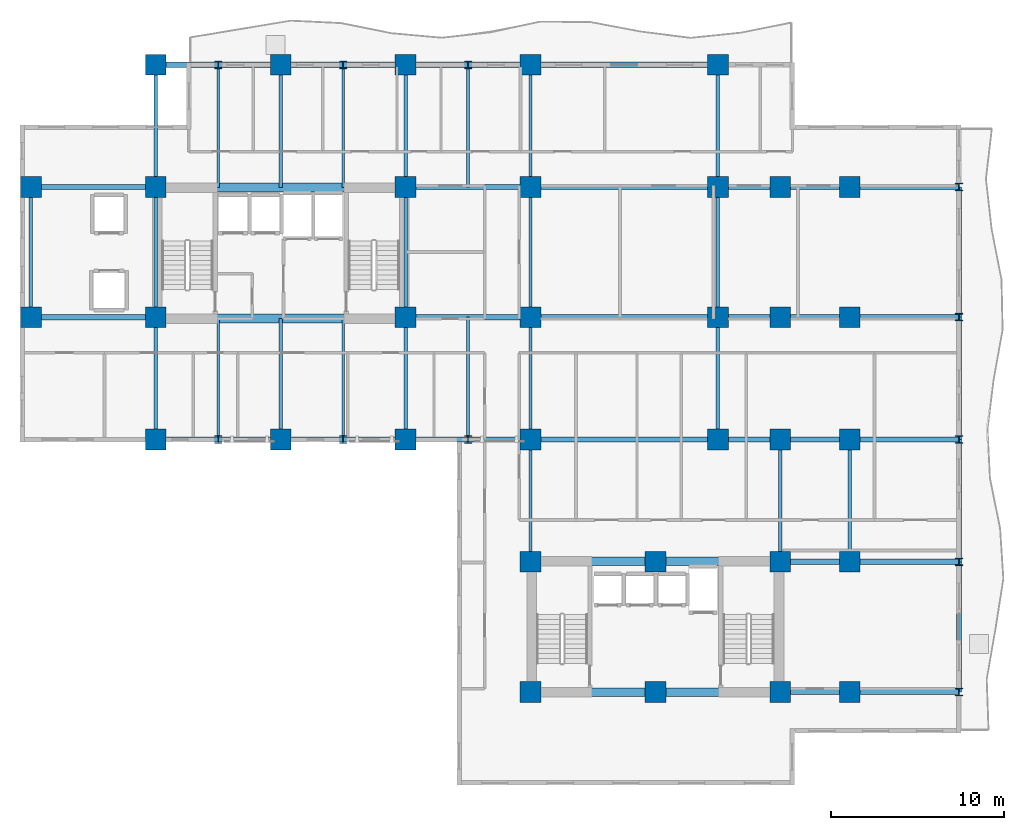
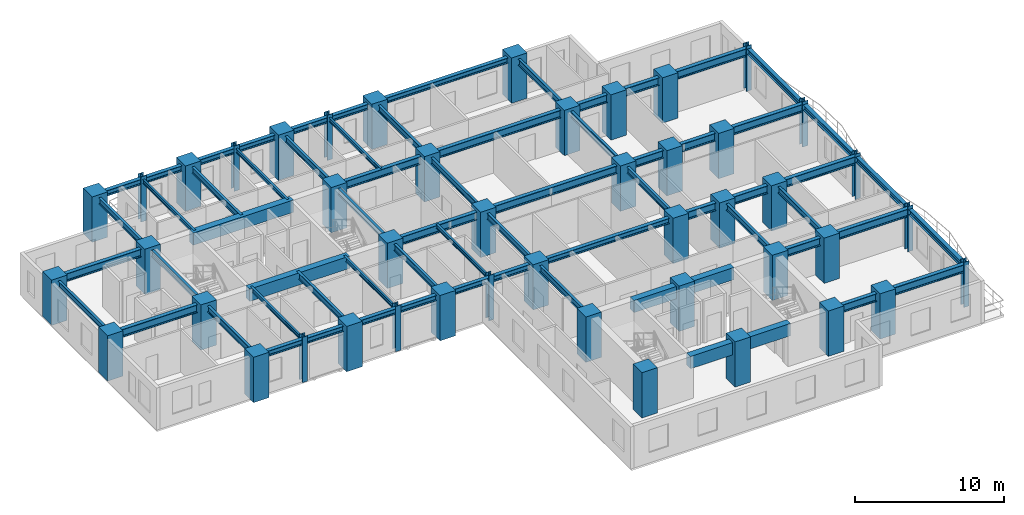
# One storey, part 1 of 11: 65 beams, 45 columns.
"""IFC4 building model written with IfcOpenShell, lengths in metres."""

from ifc_helpers import new_model, si_unit, direction, frame, origin, origin_2d, place, context, subcontext, project, spatial, rectangle, i_section, extrude, source, transform, mapped, material, material_profile, profile_set, type_object, element, save


model = new_model("IFC4")

# Units and contexts
model_context = context("Model", 3, precision=1e-05, world=origin(), true_north=direction((0.0, 1.0)))
body_context = subcontext(model_context, "Body", "Model", "MODEL_VIEW")
ifc_project = project(units=[si_unit("LENGTHUNIT", "METRE"), si_unit("AREAUNIT", "SQUARE_METRE"), si_unit("VOLUMEUNIT", "CUBIC_METRE"), si_unit("PLANEANGLEUNIT", "RADIAN"), si_unit("MASSUNIT", "GRAM", prefix="KILO")], contexts=[model_context])

# Site, building, storey
site_placement = place(None, origin())
site = spatial("IfcSite", under=ifc_project, at=site_placement, CompositionType="ELEMENT")
building_placement = place(site_placement, origin())
building = spatial("IfcBuilding", under=site, at=building_placement, Name="Kaliganga Portal Commons", CompositionType="ELEMENT")
storey_placement = place(building_placement, frame((0.0, 0.0, 119.300048828125)))
storey = spatial("IfcBuildingStorey", under=building, at=storey_placement, Name="L30", CompositionType="ELEMENT", Elevation=119.300048828125)

# Columns
ifc_material_1 = material(Name="Concrete C60/75", Category="concrete")
ifc_material_profile_1 = material_profile(ifc_material_1, rectangle(XDim=1.199951171875, YDim=1.199951171875, at=origin_2d()), Name="RC 1200x1200")
ifc_profile_set_1 = profile_set([ifc_material_profile_1], Name="Concrete C60/75")
column_type_1 = type_object("IfcColumnType", Name="COL-MEGA-Z2", PredefinedType="COLUMN", material=ifc_profile_set_1)
shared_shape_1 = source(origin(), body_context, "Body", "SweptSolid", [
    extrude(rectangle(XDim=1.199951171875, YDim=1.199951171875, at=origin_2d()), origin(), (0.0, 0.0, 1.0), 3.699951171875),
])
for number, where, z_axis, x_axis, name in (
    (1, (7.199951171875, 28.64990234375, 0.0), (0.0, 0.0, 1.0), (1.0, 0.0, 0.0), "Column MC-03 L30"),
    (2, (7.199951171875, 36.14990234375, 0.0), (0.0, 0.0, 1.0), (1.0, 0.0, 0.0), "Column MC-03 L30"),
    (3, (14.39990234375, 21.60009765625, 0.0), (0.0, 0.0, 1.0), (1.0, 0.0, 0.0), "Column MC-03 L30"),
    (4, (14.39990234375, 28.64990234375, 0.0), (0.0, 0.0, 1.0), (1.0, 0.0, 0.0), "Column MC-03 L30"),
    (5, (14.39990234375, 36.14990234375, 0.0), (0.0, 0.0, 1.0), (1.0, 0.0, 0.0), "Column MC-03 L30"),
    (6, (14.39990234375, 43.199951171875, 0.0), (0.0, 0.0, 1.0), (1.0, 0.0, 0.0), "Column MC-03 L30"),
    (7, (21.60009765625, 21.60009765625, 0.0), (0.0, 0.0, 1.0), (1.0, 0.0, 0.0), "Column MC-03 L30"),
    (8, (21.60009765625, 43.199951171875, 0.0), (0.0, 0.0, 1.0), (1.0, 0.0, 0.0), "Column MC-03 L30"),
    (9, (28.800048828125, 21.60009765625, 0.0), (0.0, 0.0, 1.0), (1.0, 0.0, 0.0), "Column MC-03 L30"),
    (10, (28.800048828125, 28.64990234375, 0.0), (0.0, 0.0, 1.0), (1.0, 0.0, 0.0), "Column MC-03 L30"),
    (11, (28.800048828125, 36.14990234375, 0.0), (0.0, 0.0, 1.0), (1.0, 0.0, 0.0), "Column MC-03 L30"),
    (12, (28.800048828125, 43.199951171875, 0.0), (0.0, 0.0, 1.0), (1.0, 0.0, 0.0), "Column MC-03 L30"),
    (13, (36.0, 21.60009765625, 0.0), (0.0, 0.0, 1.0), (1.0, 0.0, 0.0), "Column MC-03 L30"),
    (14, (36.0, 43.199951171875, 0.0), (0.0, 0.0, 1.0), (1.0, 0.0, 0.0), "Column MC-03 L30"),
    (15, (36.0, 28.64990234375, 0.0), (0.0, 0.0, 1.0), (1.0, 0.0, 0.0), "Column MC-03 L30"),
    (16, (36.0, 36.14990234375, 0.0), (0.0, 0.0, 1.0), (1.0, 0.0, 0.0), "Column MC-03 L30"),
    (17, (46.800048828125, 21.60009765625, 0.0), (0.0, 0.0, 1.0), (1.0, 0.0, 0.0), "Column MC-03 L30"),
    (18, (46.800048828125, 28.64990234375, 0.0), (0.0, 0.0, 1.0), (1.0, 0.0, 0.0), "Column MC-03 L30"),
    (19, (46.800048828125, 36.14990234375, 0.0), (0.0, 0.0, 1.0), (1.0, 0.0, 0.0), "Column MC-03 L30"),
    (20, (46.800048828125, 43.199951171875, 0.0), (0.0, 0.0, 1.0), (1.0, 0.0, 0.0), "Column MC-03 L30"),
    (21, (36.0, 7.050048828125, 0.0), (0.0, 0.0, 1.0), (1.0, 0.0, 0.0), "Column MC-03 L30"),
    (22, (36.0, 14.550048828125, 0.0), (0.0, 0.0, 1.0), (1.0, 0.0, 0.0), "Column MC-03 L30"),
    (23, (43.199951171875, 7.050048828125, 0.0), (0.0, 0.0, 1.0), (1.0, 0.0, 0.0), "Column MC-03 L30"),
    (24, (43.199951171875, 14.550048828125, 0.0), (0.0, 0.0, 1.0), (1.0, 0.0, 0.0), "Column MC-03 L30"),
    (25, (50.39990234375, 7.050048828125, 0.0), (0.0, 0.0, 1.0), (1.0, 0.0, 0.0), "Column MC-03 L30"),
    (26, (50.39990234375, 14.550048828125, 0.0), (0.0, 0.0, 1.0), (1.0, 0.0, 0.0), "Column MC-03 L30"),
    (27, (50.39990234375, 21.60009765625, 0.0), (0.0, 0.0, 1.0), (1.0, 0.0, 0.0), "Column MC-03 L30"),
    (28, (50.39990234375, 28.64990234375, 0.0), (0.0, 0.0, 1.0), (1.0, 0.0, 0.0), "Column MC-03 L30"),
    (29, (50.39990234375, 36.14990234375, 0.0), (0.0, 0.0, 1.0), (1.0, 0.0, 0.0), "Column MC-03 L30"),
    (30, (54.39990234375, 7.050048828125, 0.0), (0.0, 0.0, 1.0), (1.0, 0.0, 0.0), "Column MC-03 L30"),
    (31, (54.39990234375, 14.550048828125, 0.0), (0.0, 0.0, 1.0), (1.0, 0.0, 0.0), "Column MC-03 L30"),
    (32, (54.39990234375, 21.60009765625, 0.0), (0.0, 0.0, 1.0), (1.0, 0.0, 0.0), "Column MC-03 L30"),
    (33, (54.39990234375, 28.64990234375, 0.0), (0.0, 0.0, 1.0), (1.0, 0.0, 0.0), "Column MC-03 L30"),
    (34, (54.39990234375, 36.14990234375, 0.0), (0.0, 0.0, 1.0), (1.0, 0.0, 0.0), "Column MC-03 L30"),
):
    element("IfcColumn", number, at=place(storey_placement, frame(where, z_axis=z_axis, x_axis=x_axis)), inside=storey, type_object=column_type_1, Name=name, PredefinedType="COLUMN", context=body_context, shape_type="MappedRepresentation", body=[
        mapped(shared_shape_1, transform((0.0, 0.0, 0.0), x_axis=(1.0, 0.0, 0.0), y_axis=(0.0, 1.0, 0.0), z_axis=(0.0, 0.0, 1.0), scale=1.0)),
    ])
ifc_material_2 = material(Name="Structural steel S460M", Category="steel")
ifc_material_profile_2 = material_profile(ifc_material_2, i_section(OverallWidth=0.408935546875, OverallDepth=0.429931640625, WebThickness=0.0244140625, FlangeThickness=0.033447265625, FilletRadius=0.014892578125, at=origin_2d()), Name="HD 400x421")
ifc_profile_set_2 = profile_set([ifc_material_profile_2], Name="Structural steel S460M wide-flange")
column_type_2 = type_object("IfcColumnType", Name="COL-TUBE-B2", PredefinedType="COLUMN", material=ifc_profile_set_2)
shared_shape_2 = source(origin(), body_context, "Body", "SweptSolid", [
    extrude(i_section(OverallWidth=0.408935546875, OverallDepth=0.429931640625, WebThickness=0.0244140625, FlangeThickness=0.033447265625, FilletRadius=0.014892578125, at=origin_2d()), origin(), (0.0, 0.0, 1.0), 3.699951171875),
])
for number, where, z_axis, x_axis, name in (
    (35, (18.0, 21.60009765625, 0.0), (0.0, 0.0, 1.0), (1.0, 0.0, 0.0), "Column TC-02 L30"),
    (36, (18.0, 43.199951171875, 0.0), (0.0, 0.0, 1.0), (1.0, 0.0, 0.0), "Column TC-02 L30"),
    (37, (25.199951171875, 21.60009765625, 0.0), (0.0, 0.0, 1.0), (1.0, 0.0, 0.0), "Column TC-02 L30"),
    (38, (25.199951171875, 43.199951171875, 0.0), (0.0, 0.0, 1.0), (1.0, 0.0, 0.0), "Column TC-02 L30"),
    (39, (32.39990234375, 21.60009765625, 0.0), (0.0, 0.0, 1.0), (1.0, 0.0, 0.0), "Column TC-02 L30"),
    (40, (32.39990234375, 43.199951171875, 0.0), (0.0, 0.0, 1.0), (1.0, 0.0, 0.0), "Column TC-02 L30"),
    (41, (60.699951171875, 7.050048828125, 0.0), (0.0, 0.0, 1.0), (1.0, 0.0, 0.0), "Column TC-02 L30"),
    (42, (60.699951171875, 14.550048828125, 0.0), (0.0, 0.0, 1.0), (1.0, 0.0, 0.0), "Column TC-02 L30"),
    (43, (60.699951171875, 21.60009765625, 0.0), (0.0, 0.0, 1.0), (1.0, 0.0, 0.0), "Column TC-02 L30"),
    (44, (60.699951171875, 28.64990234375, 0.0), (0.0, 0.0, 1.0), (1.0, 0.0, 0.0), "Column TC-02 L30"),
    (45, (60.699951171875, 36.14990234375, 0.0), (0.0, 0.0, 1.0), (1.0, 0.0, 0.0), "Column TC-02 L30"),
):
    element("IfcColumn", number, at=place(storey_placement, frame(where, z_axis=z_axis, x_axis=x_axis)), inside=storey, type_object=column_type_2, Name=name, PredefinedType="COLUMN", context=body_context, shape_type="MappedRepresentation", body=[
        mapped(shared_shape_2, transform((0.0, 0.0, 0.0), x_axis=(1.0, 0.0, 0.0), y_axis=(0.0, 1.0, 0.0), z_axis=(0.0, 0.0, 1.0), scale=1.0)),
    ])

# Beams
ifc_material_3 = material(Name="Concrete C50/60", Category="concrete")
ifc_material_profile_3 = material_profile(ifc_material_3, rectangle(XDim=0.5, YDim=1.0, at=origin_2d()), Name="RC 500x1000")
ifc_profile_set_3 = profile_set([ifc_material_profile_3], Name="Concrete C50/60")
beam_type_1 = type_object("IfcBeamType", Name="BM-CPL-1000", PredefinedType="LINTEL", material=ifc_profile_set_3)
shared_shape_3 = source(origin(), body_context, "Body", "SweptSolid", [
    extrude(rectangle(XDim=0.5, YDim=1.0, at=origin_2d()), origin(), (0.0, 0.0, 1.0), 7.739990234375),
])
for number, where, z_axis, x_axis, name in (
    (46, (17.72998046875, 28.574951171875, 2.949951171875), (1.0, 0.0, 0.0), (0.0, 1.0, 0.0), "BM CPL COREA L30 S"),
    (47, (17.72998046875, 36.125, 2.949951171875), (1.0, 0.0, 0.0), (0.0, 1.0, 0.0), "BM CPL COREA L30 N"),
    (48, (39.330078125, 7.02490234375, 2.949951171875), (1.0, 0.0, 0.0), (0.0, 1.0, 0.0), "BM CPL COREB L30 S"),
    (49, (39.330078125, 14.574951171875, 2.949951171875), (1.0, 0.0, 0.0), (0.0, 1.0, 0.0), "BM CPL COREB L30 N"),
):
    element("IfcBeam", number, at=place(storey_placement, frame(where, z_axis=z_axis, x_axis=x_axis)), inside=storey, type_object=beam_type_1, Name=name, PredefinedType="LINTEL", context=body_context, shape_type="MappedRepresentation", body=[
        mapped(shared_shape_3, transform((0.0, 0.0, 0.0), x_axis=(1.0, 0.0, 0.0), y_axis=(0.0, 1.0, 0.0), z_axis=(0.0, 0.0, 1.0), scale=1.0)),
    ])
ifc_material_4 = material(Name="Structural steel S355J2", Category="steel")
ifc_material_profile_4 = material_profile(ifc_material_4, i_section(OverallWidth=0.300048828125, OverallDepth=0.64990234375, WebThickness=0.01611328125, FlangeThickness=0.031005859375, FilletRadius=0.027099609375, at=origin_2d()), Name="HE 650 B")
ifc_profile_set_4 = profile_set([ifc_material_profile_4], Name="Structural steel S355J2 wide-flange")
beam_type_2 = type_object("IfcBeamType", Name="BM-GIRD-650", PredefinedType="USERDEFINED", material=ifc_profile_set_4)
shared_shape_4 = source(origin(), body_context, "Body", "SweptSolid", [
    extrude(i_section(OverallWidth=0.300048828125, OverallDepth=0.64990234375, WebThickness=0.01611328125, FlangeThickness=0.031005859375, FilletRadius=0.027099609375, at=origin_2d()), origin(), (0.0, 0.0, 1.0), 3.599853515625),
])
for number, where, z_axis, x_axis, name in (
    (50, (46.800048828125, 21.60009765625, 3.125), (1.0, 0.0, 0.0), (0.0, 1.0, 0.0), "BM G L30 BKE216 1"),
    (51, (46.800048828125, 28.64990234375, 3.125), (1.0, 0.0, 0.0), (0.0, 1.0, 0.0), "BM G L30 BKE286 1"),
    (52, (46.800048828125, 36.14990234375, 3.125), (1.0, 0.0, 0.0), (0.0, 1.0, 0.0), "BM G L30 BKE362 1"),
):
    element("IfcBeam", number, at=place(storey_placement, frame(where, z_axis=z_axis, x_axis=x_axis)), inside=storey, type_object=beam_type_2, Name=name, ObjectType="GIRDER", PredefinedType="USERDEFINED", context=body_context, shape_type="MappedRepresentation", body=[
        mapped(shared_shape_4, transform((0.0, 0.0, 0.0), x_axis=(1.0, 0.0, 0.0), y_axis=(0.0, 1.0, 0.0), z_axis=(0.0, 0.0, 1.0), scale=1.0)),
    ])
shared_shape_5 = source(origin(), body_context, "Body", "SweptSolid", [
    extrude(i_section(OverallWidth=0.300048828125, OverallDepth=0.64990234375, WebThickness=0.01611328125, FlangeThickness=0.031005859375, FilletRadius=0.027099609375, at=origin_2d()), origin(), (0.0, 0.0, 1.0), 7.199951171875),
])
for number, where, z_axis, x_axis, name in (
    (53, (7.199951171875, 28.64990234375, 3.125), (1.0, 0.0, 0.0), (0.0, 1.0, 0.0), "BM G L30 WAH_S 1"),
    (54, (7.199951171875, 36.14990234375, 3.125), (1.0, 0.0, 0.0), (0.0, 1.0, 0.0), "BM G L30 WAH_N 1"),
    (55, (28.800048828125, 28.64990234375, 3.125), (1.0, 0.0, 0.0), (0.0, 1.0, 0.0), "BM G L30 WAE_S 1"),
    (56, (28.800048828125, 36.14990234375, 3.125), (1.0, 0.0, 0.0), (0.0, 1.0, 0.0), "BM G L30 WAE_N 1"),
):
    element("IfcBeam", number, at=place(storey_placement, frame(where, z_axis=z_axis, x_axis=x_axis)), inside=storey, type_object=beam_type_2, Name=name, ObjectType="GIRDER", PredefinedType="USERDEFINED", context=body_context, shape_type="MappedRepresentation", body=[
        mapped(shared_shape_5, transform((0.0, 0.0, 0.0), x_axis=(1.0, 0.0, 0.0), y_axis=(0.0, 1.0, 0.0), z_axis=(0.0, 0.0, 1.0), scale=1.0)),
    ])
shared_shape_6 = source(origin(), body_context, "Body", "SweptSolid", [
    extrude(i_section(OverallWidth=0.300048828125, OverallDepth=0.64990234375, WebThickness=0.01611328125, FlangeThickness=0.031005859375, FilletRadius=0.027099609375, at=origin_2d()), origin(), (0.0, 0.0, 1.0), 10.800048828125),
])
for number, where, z_axis, x_axis, name in (
    (57, (36.0, 28.64990234375, 3.125), (1.0, 0.0, 0.0), (0.0, 1.0, 0.0), "BM G L30 WAE_S 2"),
    (58, (36.0, 36.14990234375, 3.125), (1.0, 0.0, 0.0), (0.0, 1.0, 0.0), "BM G L30 WAE_N 2"),
):
    element("IfcBeam", number, at=place(storey_placement, frame(where, z_axis=z_axis, x_axis=x_axis)), inside=storey, type_object=beam_type_2, Name=name, ObjectType="GIRDER", PredefinedType="USERDEFINED", context=body_context, shape_type="MappedRepresentation", body=[
        mapped(shared_shape_6, transform((0.0, 0.0, 0.0), x_axis=(1.0, 0.0, 0.0), y_axis=(0.0, 1.0, 0.0), z_axis=(0.0, 0.0, 1.0), scale=1.0)),
    ])
shared_shape_7 = source(origin(), body_context, "Body", "SweptSolid", [
    extrude(i_section(OverallWidth=0.300048828125, OverallDepth=0.64990234375, WebThickness=0.01611328125, FlangeThickness=0.031005859375, FilletRadius=0.027099609375, at=origin_2d()), origin(), (0.0, 0.0, 1.0), 4.0),
])
for number, where, z_axis, x_axis, name in (
    (59, (50.39990234375, 7.050048828125, 3.125), (1.0, 0.0, 0.0), (0.0, 1.0, 0.0), "BM G L30 BKE70 1"),
    (60, (50.39990234375, 14.550048828125, 3.125), (1.0, 0.0, 0.0), (0.0, 1.0, 0.0), "BM G L30 BKE146 1"),
    (61, (50.39990234375, 21.60009765625, 3.125), (1.0, 0.0, 0.0), (0.0, 1.0, 0.0), "BM G L30 BKE216 2"),
    (62, (50.39990234375, 28.64990234375, 3.125), (1.0, 0.0, 0.0), (0.0, 1.0, 0.0), "BM G L30 BKE286 2"),
    (63, (50.39990234375, 36.14990234375, 3.125), (1.0, 0.0, 0.0), (0.0, 1.0, 0.0), "BM G L30 BKE362 2"),
):
    element("IfcBeam", number, at=place(storey_placement, frame(where, z_axis=z_axis, x_axis=x_axis)), inside=storey, type_object=beam_type_2, Name=name, ObjectType="GIRDER", PredefinedType="USERDEFINED", context=body_context, shape_type="MappedRepresentation", body=[
        mapped(shared_shape_7, transform((0.0, 0.0, 0.0), x_axis=(1.0, 0.0, 0.0), y_axis=(0.0, 1.0, 0.0), z_axis=(0.0, 0.0, 1.0), scale=1.0)),
    ])
ifc_material_profile_5 = material_profile(ifc_material_4, i_section(OverallWidth=0.199951171875, OverallDepth=0.5, WebThickness=0.01025390625, FlangeThickness=0.01611328125, FilletRadius=0.02099609375, at=origin_2d()), Name="IPE 500")
ifc_profile_set_5 = profile_set([ifc_material_profile_5], Name="Structural steel S355J2 wide-flange")
beam_type_3 = type_object("IfcBeamType", Name="BM-FLR-500", PredefinedType="BEAM", material=ifc_profile_set_5)
shared_shape_8 = source(origin(), body_context, "Body", "SweptSolid", [
    extrude(i_section(OverallWidth=0.199951171875, OverallDepth=0.5, WebThickness=0.01025390625, FlangeThickness=0.01611328125, FilletRadius=0.02099609375, at=origin_2d()), origin(), (0.0, 0.0, 1.0), 7.5),
])
for number, where, z_axis, x_axis, name in (
    (64, (7.199951171875, 28.64990234375, 3.199951171875), (0.0, 1.0, 0.0), (-1.0, 0.0, 0.0), "BM G L30 AW72"),
    (65, (14.39990234375, 28.64990234375, 3.199951171875), (0.0, 1.0, 0.0), (-1.0, 0.0, 0.0), "BM G L30 AM144"),
    (66, (28.800048828125, 28.64990234375, 3.199951171875), (0.0, 1.0, 0.0), (-1.0, 0.0, 0.0), "BM G L30 AM288"),
    (67, (36.0, 28.64990234375, 3.199951171875), (0.0, 1.0, 0.0), (-1.0, 0.0, 0.0), "BM G L30 AM360"),
    (68, (46.800048828125, 28.64990234375, 3.199951171875), (0.0, 1.0, 0.0), (-1.0, 0.0, 0.0), "BM G L30 AM468"),
):
    element("IfcBeam", number, at=place(storey_placement, frame(where, z_axis=z_axis, x_axis=x_axis)), inside=storey, type_object=beam_type_3, Name=name, PredefinedType="BEAM", context=body_context, shape_type="MappedRepresentation", body=[
        mapped(shared_shape_8, transform((0.0, 0.0, 0.0), x_axis=(1.0, 0.0, 0.0), y_axis=(0.0, 1.0, 0.0), z_axis=(0.0, 0.0, 1.0), scale=1.0)),
    ])
shared_shape_9 = source(origin(), body_context, "Body", "SweptSolid", [
    extrude(i_section(OverallWidth=0.199951171875, OverallDepth=0.5, WebThickness=0.01025390625, FlangeThickness=0.01611328125, FilletRadius=0.02099609375, at=origin_2d()), origin(), (0.0, 0.0, 1.0), 7.050048828125),
])
for number, where, z_axis, x_axis, name in (
    (69, (14.39990234375, 36.14990234375, 3.199951171875), (0.0, 1.0, 0.0), (-1.0, 0.0, 0.0), "BM G L30 AN144"),
    (70, (28.800048828125, 36.14990234375, 3.199951171875), (0.0, 1.0, 0.0), (-1.0, 0.0, 0.0), "BM G L30 AN288"),
    (71, (36.0, 36.14990234375, 3.199951171875), (0.0, 1.0, 0.0), (-1.0, 0.0, 0.0), "BM G L30 AN360"),
    (72, (46.800048828125, 36.14990234375, 3.199951171875), (0.0, 1.0, 0.0), (-1.0, 0.0, 0.0), "BM G L30 AN468"),
    (73, (36.0, 14.550048828125, 3.199951171875), (0.0, 1.0, 0.0), (-1.0, 0.0, 0.0), "BM G L30 BNK360"),
    (74, (50.39990234375, 14.550048828125, 3.199951171875), (0.0, 1.0, 0.0), (-1.0, 0.0, 0.0), "BM G L30 BNK504"),
    (75, (54.39990234375, 14.550048828125, 3.199951171875), (0.0, 1.0, 0.0), (-1.0, 0.0, 0.0), "BM G L30 BNK544"),
):
    element("IfcBeam", number, at=place(storey_placement, frame(where, z_axis=z_axis, x_axis=x_axis)), inside=storey, type_object=beam_type_3, Name=name, PredefinedType="BEAM", context=body_context, shape_type="MappedRepresentation", body=[
        mapped(shared_shape_9, transform((0.0, 0.0, 0.0), x_axis=(1.0, 0.0, 0.0), y_axis=(0.0, 1.0, 0.0), z_axis=(0.0, 0.0, 1.0), scale=1.0)),
    ])
shared_shape_10 = source(origin(), body_context, "Body", "SweptSolid", [
    extrude(i_section(OverallWidth=0.199951171875, OverallDepth=0.5, WebThickness=0.01025390625, FlangeThickness=0.01611328125, FilletRadius=0.02099609375, at=origin_2d()), origin(), (0.0, 0.0, 1.0), 7.0498046875),
])
for number, where, z_axis, x_axis, name in (
    (76, (14.39990234375, 21.60009765625, 3.199951171875), (0.0, 1.0, 0.0), (-1.0, 0.0, 0.0), "BM G L30 AS144"),
    (77, (28.800048828125, 21.60009765625, 3.199951171875), (0.0, 1.0, 0.0), (-1.0, 0.0, 0.0), "BM G L30 AS288"),
    (78, (36.0, 21.60009765625, 3.199951171875), (0.0, 1.0, 0.0), (-1.0, 0.0, 0.0), "BM G L30 AS360"),
    (79, (46.800048828125, 21.60009765625, 3.199951171875), (0.0, 1.0, 0.0), (-1.0, 0.0, 0.0), "BM G L30 AS468"),
):
    element("IfcBeam", number, at=place(storey_placement, frame(where, z_axis=z_axis, x_axis=x_axis)), inside=storey, type_object=beam_type_3, Name=name, PredefinedType="BEAM", context=body_context, shape_type="MappedRepresentation", body=[
        mapped(shared_shape_10, transform((0.0, 0.0, 0.0), x_axis=(1.0, 0.0, 0.0), y_axis=(0.0, 1.0, 0.0), z_axis=(0.0, 0.0, 1.0), scale=1.0)),
    ])
shared_shape_11 = source(origin(), body_context, "Body", "SweptSolid", [
    extrude(i_section(OverallWidth=0.199951171875, OverallDepth=0.5, WebThickness=0.01025390625, FlangeThickness=0.01611328125, FilletRadius=0.02099609375, at=origin_2d()), origin(), (0.0, 0.0, 1.0), 7.074951171875),
])
beam_1_placement = place(storey_placement, frame((21.60009765625, 36.125, 3.199951171875), z_axis=(0.0, 1.0, 0.0), x_axis=(-1.0, 0.0, 0.0)))
element("IfcBeam", 80, at=beam_1_placement, inside=storey, type_object=beam_type_3, Name="BM G L30 AN216", PredefinedType="BEAM", context=body_context, shape_type="MappedRepresentation", body=[
    mapped(shared_shape_11, transform((0.0, 0.0, 0.0), x_axis=(1.0, 0.0, 0.0), y_axis=(0.0, 1.0, 0.0), z_axis=(0.0, 0.0, 1.0), scale=1.0)),
])
shared_shape_12 = source(origin(), body_context, "Body", "SweptSolid", [
    extrude(i_section(OverallWidth=0.199951171875, OverallDepth=0.5, WebThickness=0.01025390625, FlangeThickness=0.01611328125, FilletRadius=0.02099609375, at=origin_2d()), origin(), (0.0, 0.0, 1.0), 6.974853515625),
])
beam_2_placement = place(storey_placement, frame((21.60009765625, 21.60009765625, 3.199951171875), z_axis=(0.0, 1.0, 0.0), x_axis=(-1.0, 0.0, 0.0)))
element("IfcBeam", 81, at=beam_2_placement, inside=storey, type_object=beam_type_3, Name="BM G L30 AS216", PredefinedType="BEAM", context=body_context, shape_type="MappedRepresentation", body=[
    mapped(shared_shape_12, transform((0.0, 0.0, 0.0), x_axis=(1.0, 0.0, 0.0), y_axis=(0.0, 1.0, 0.0), z_axis=(0.0, 0.0, 1.0), scale=1.0)),
])
shared_shape_13 = source(origin(), body_context, "Body", "SweptSolid", [
    extrude(i_section(OverallWidth=0.300048828125, OverallDepth=0.64990234375, WebThickness=0.01611328125, FlangeThickness=0.031005859375, FilletRadius=0.027099609375, at=origin_2d()), origin(), (0.0, 0.0, 1.0), 6.300048828125),
])
for number, where, z_axis, x_axis, name in (
    (82, (54.39990234375, 7.050048828125, 3.125), (1.0, 0.0, 0.0), (0.0, 1.0, 0.0), "BM G L30 BKE70 2"),
    (83, (54.39990234375, 14.550048828125, 3.125), (1.0, 0.0, 0.0), (0.0, 1.0, 0.0), "BM G L30 BKE146 2"),
    (84, (54.39990234375, 21.60009765625, 3.125), (1.0, 0.0, 0.0), (0.0, 1.0, 0.0), "BM G L30 BKE216 3"),
    (85, (54.39990234375, 28.64990234375, 3.125), (1.0, 0.0, 0.0), (0.0, 1.0, 0.0), "BM G L30 BKE286 3"),
    (86, (54.39990234375, 36.14990234375, 3.125), (1.0, 0.0, 0.0), (0.0, 1.0, 0.0), "BM G L30 BKE362 3"),
):
    element("IfcBeam", number, at=place(storey_placement, frame(where, z_axis=z_axis, x_axis=x_axis)), inside=storey, type_object=beam_type_2, Name=name, ObjectType="GIRDER", PredefinedType="USERDEFINED", context=body_context, shape_type="MappedRepresentation", body=[
        mapped(shared_shape_13, transform((0.0, 0.0, 0.0), x_axis=(1.0, 0.0, 0.0), y_axis=(0.0, 1.0, 0.0), z_axis=(0.0, 0.0, 1.0), scale=1.0)),
    ])
ifc_material_profile_6 = material_profile(ifc_material_4, i_section(OverallWidth=0.300048828125, OverallDepth=0.449951171875, WebThickness=0.013916015625, FlangeThickness=0.02587890625, FilletRadius=0.027099609375, at=origin_2d()), Name="HE 450 B")
ifc_profile_set_6 = profile_set([ifc_material_profile_6], Name="Structural steel S355J2 wide-flange")
beam_type_4 = type_object("IfcBeamType", Name="BM-SPAND-450", PredefinedType="SPANDREL", material=ifc_profile_set_6)
shared_shape_14 = source(origin(), body_context, "Body", "SweptSolid", [
    extrude(i_section(OverallWidth=0.300048828125, OverallDepth=0.449951171875, WebThickness=0.013916015625, FlangeThickness=0.02587890625, FilletRadius=0.027099609375, at=origin_2d()), origin(), (0.0, 0.0, 1.0), 3.60009765625),
])
for number, where, z_axis, x_axis, name in (
    (87, (14.39990234375, 43.199951171875, 3.224853515625), (1.0, 0.0, 0.0), (0.0, 1.0, 0.0), "BM SP L30 AN 1"),
    (88, (18.0, 43.199951171875, 3.224853515625), (1.0, 0.0, 0.0), (0.0, 1.0, 0.0), "BM SP L30 AN 2"),
    (89, (25.199951171875, 43.199951171875, 3.224853515625), (1.0, 0.0, 0.0), (0.0, 1.0, 0.0), "BM SP L30 AN 4"),
    (90, (32.39990234375, 43.199951171875, 3.224853515625), (1.0, 0.0, 0.0), (0.0, 1.0, 0.0), "BM SP L30 AN 6"),
    (91, (14.39990234375, 21.60009765625, 3.224853515625), (1.0, 0.0, 0.0), (0.0, 1.0, 0.0), "BM SP L30 AS 1"),
    (92, (18.0, 21.60009765625, 3.224853515625), (1.0, 0.0, 0.0), (0.0, 1.0, 0.0), "BM SP L30 AS 2"),
    (93, (25.199951171875, 21.60009765625, 3.224853515625), (1.0, 0.0, 0.0), (0.0, 1.0, 0.0), "BM SP L30 AS 4"),
    (94, (32.39990234375, 21.60009765625, 3.224853515625), (1.0, 0.0, 0.0), (0.0, 1.0, 0.0), "BM SP L30 AS 6"),
):
    element("IfcBeam", number, at=place(storey_placement, frame(where, z_axis=z_axis, x_axis=x_axis)), inside=storey, type_object=beam_type_4, Name=name, PredefinedType="SPANDREL", context=body_context, shape_type="MappedRepresentation", body=[
        mapped(shared_shape_14, transform((0.0, 0.0, 0.0), x_axis=(1.0, 0.0, 0.0), y_axis=(0.0, 1.0, 0.0), z_axis=(0.0, 0.0, 1.0), scale=1.0)),
    ])
shared_shape_15 = source(origin(), body_context, "Body", "SweptSolid", [
    extrude(i_section(OverallWidth=0.300048828125, OverallDepth=0.449951171875, WebThickness=0.013916015625, FlangeThickness=0.02587890625, FilletRadius=0.027099609375, at=origin_2d()), origin(), (0.0, 0.0, 1.0), 3.599853515625),
])
for number, where, z_axis, x_axis, name in (
    (95, (21.60009765625, 43.199951171875, 3.224853515625), (1.0, 0.0, 0.0), (0.0, 1.0, 0.0), "BM SP L30 AN 3"),
    (96, (28.800048828125, 43.199951171875, 3.224853515625), (1.0, 0.0, 0.0), (0.0, 1.0, 0.0), "BM SP L30 AN 5"),
    (97, (21.60009765625, 21.60009765625, 3.224853515625), (1.0, 0.0, 0.0), (0.0, 1.0, 0.0), "BM SP L30 AS 3"),
    (98, (28.800048828125, 21.60009765625, 3.224853515625), (1.0, 0.0, 0.0), (0.0, 1.0, 0.0), "BM SP L30 AS 5"),
):
    element("IfcBeam", number, at=place(storey_placement, frame(where, z_axis=z_axis, x_axis=x_axis)), inside=storey, type_object=beam_type_4, Name=name, PredefinedType="SPANDREL", context=body_context, shape_type="MappedRepresentation", body=[
        mapped(shared_shape_15, transform((0.0, 0.0, 0.0), x_axis=(1.0, 0.0, 0.0), y_axis=(0.0, 1.0, 0.0), z_axis=(0.0, 0.0, 1.0), scale=1.0)),
    ])
shared_shape_16 = source(origin(), body_context, "Body", "SweptSolid", [
    extrude(i_section(OverallWidth=0.300048828125, OverallDepth=0.449951171875, WebThickness=0.013916015625, FlangeThickness=0.02587890625, FilletRadius=0.027099609375, at=origin_2d()), origin(), (0.0, 0.0, 1.0), 10.800048828125),
])
for number, where, z_axis, x_axis, name in (
    (99, (36.0, 43.199951171875, 3.224853515625), (1.0, 0.0, 0.0), (0.0, 1.0, 0.0), "BM SP L30 AN 7"),
    (100, (36.0, 21.60009765625, 3.224853515625), (1.0, 0.0, 0.0), (0.0, 1.0, 0.0), "BM SP L30 AS 7"),
):
    element("IfcBeam", number, at=place(storey_placement, frame(where, z_axis=z_axis, x_axis=x_axis)), inside=storey, type_object=beam_type_4, Name=name, PredefinedType="SPANDREL", context=body_context, shape_type="MappedRepresentation", body=[
        mapped(shared_shape_16, transform((0.0, 0.0, 0.0), x_axis=(1.0, 0.0, 0.0), y_axis=(0.0, 1.0, 0.0), z_axis=(0.0, 0.0, 1.0), scale=1.0)),
    ])
ifc_material_profile_7 = material_profile(ifc_material_4, i_section(OverallWidth=0.159912109375, OverallDepth=0.330078125, WebThickness=0.007568359375, FlangeThickness=0.011474609375, FilletRadius=0.01806640625, at=origin_2d()), Name="IPE 330")
ifc_profile_set_7 = profile_set([ifc_material_profile_7], Name="Structural steel S355J2 wide-flange")
beam_type_5 = type_object("IfcBeamType", Name="BM-JST-330", PredefinedType="JOIST", material=ifc_profile_set_7)
shared_shape_17 = source(origin(), body_context, "Body", "SweptSolid", [
    extrude(i_section(OverallWidth=0.159912109375, OverallDepth=0.330078125, WebThickness=0.007568359375, FlangeThickness=0.011474609375, FilletRadius=0.01806640625, at=origin_2d()), origin(), (0.0, 0.0, 1.0), 7.074951171875),
])
for number, where, z_axis, x_axis, name in (
    (101, (18.0, 36.125, 3.284912109375), (0.0, 1.0, 0.0), (-1.0, 0.0, 0.0), "BM G L30 AN180"),
    (102, (25.199951171875, 36.125, 3.284912109375), (0.0, 1.0, 0.0), (-1.0, 0.0, 0.0), "BM G L30 AN252"),
):
    element("IfcBeam", number, at=place(storey_placement, frame(where, z_axis=z_axis, x_axis=x_axis)), inside=storey, type_object=beam_type_5, Name=name, PredefinedType="JOIST", context=body_context, shape_type="MappedRepresentation", body=[
        mapped(shared_shape_17, transform((0.0, 0.0, 0.0), x_axis=(1.0, 0.0, 0.0), y_axis=(0.0, 1.0, 0.0), z_axis=(0.0, 0.0, 1.0), scale=1.0)),
    ])
shared_shape_18 = source(origin(), body_context, "Body", "SweptSolid", [
    extrude(i_section(OverallWidth=0.159912109375, OverallDepth=0.330078125, WebThickness=0.007568359375, FlangeThickness=0.011474609375, FilletRadius=0.01806640625, at=origin_2d()), origin(), (0.0, 0.0, 1.0), 6.974853515625),
])
for number, where, z_axis, x_axis, name in (
    (103, (18.0, 21.60009765625, 3.284912109375), (0.0, 1.0, 0.0), (-1.0, 0.0, 0.0), "BM G L30 AS180"),
    (104, (25.199951171875, 21.60009765625, 3.284912109375), (0.0, 1.0, 0.0), (-1.0, 0.0, 0.0), "BM G L30 AS252"),
):
    element("IfcBeam", number, at=place(storey_placement, frame(where, z_axis=z_axis, x_axis=x_axis)), inside=storey, type_object=beam_type_5, Name=name, PredefinedType="JOIST", context=body_context, shape_type="MappedRepresentation", body=[
        mapped(shared_shape_18, transform((0.0, 0.0, 0.0), x_axis=(1.0, 0.0, 0.0), y_axis=(0.0, 1.0, 0.0), z_axis=(0.0, 0.0, 1.0), scale=1.0)),
    ])
shared_shape_19 = source(origin(), body_context, "Body", "SweptSolid", [
    extrude(i_section(OverallWidth=0.159912109375, OverallDepth=0.330078125, WebThickness=0.007568359375, FlangeThickness=0.011474609375, FilletRadius=0.01806640625, at=origin_2d()), origin(), (0.0, 0.0, 1.0), 7.050048828125),
])
beam_3_placement = place(storey_placement, frame((32.39990234375, 36.14990234375, 3.284912109375), z_axis=(0.0, 1.0, 0.0), x_axis=(-1.0, 0.0, 0.0)))
element("IfcBeam", 105, at=beam_3_placement, inside=storey, type_object=beam_type_5, Name="BM G L30 AN324", PredefinedType="JOIST", context=body_context, shape_type="MappedRepresentation", body=[
    mapped(shared_shape_19, transform((0.0, 0.0, 0.0), x_axis=(1.0, 0.0, 0.0), y_axis=(0.0, 1.0, 0.0), z_axis=(0.0, 0.0, 1.0), scale=1.0)),
])
shared_shape_20 = source(origin(), body_context, "Body", "SweptSolid", [
    extrude(i_section(OverallWidth=0.159912109375, OverallDepth=0.330078125, WebThickness=0.007568359375, FlangeThickness=0.011474609375, FilletRadius=0.01806640625, at=origin_2d()), origin(), (0.0, 0.0, 1.0), 7.0498046875),
])
beam_4_placement = place(storey_placement, frame((32.39990234375, 21.60009765625, 3.284912109375), z_axis=(0.0, 1.0, 0.0), x_axis=(-1.0, 0.0, 0.0)))
element("IfcBeam", 106, at=beam_4_placement, inside=storey, type_object=beam_type_5, Name="BM G L30 AS324", PredefinedType="JOIST", context=body_context, shape_type="MappedRepresentation", body=[
    mapped(shared_shape_20, transform((0.0, 0.0, 0.0), x_axis=(1.0, 0.0, 0.0), y_axis=(0.0, 1.0, 0.0), z_axis=(0.0, 0.0, 1.0), scale=1.0)),
])
shared_shape_21 = source(origin(), body_context, "Body", "SweptSolid", [
    extrude(i_section(OverallWidth=0.300048828125, OverallDepth=0.449951171875, WebThickness=0.013916015625, FlangeThickness=0.02587890625, FilletRadius=0.027099609375, at=origin_2d()), origin(), (0.0, 0.0, 1.0), 7.5),
])
for number, where, z_axis, x_axis, name in (
    (107, (60.699951171875, 7.050048828125, 3.224853515625), (0.0, 1.0, 0.0), (-1.0, 0.0, 0.0), "BM SP L30 BE 1"),
    (108, (60.699951171875, 28.64990234375, 3.224853515625), (0.0, 1.0, 0.0), (-1.0, 0.0, 0.0), "BM SP L30 BE 4"),
):
    element("IfcBeam", number, at=place(storey_placement, frame(where, z_axis=z_axis, x_axis=x_axis)), inside=storey, type_object=beam_type_4, Name=name, PredefinedType="SPANDREL", context=body_context, shape_type="MappedRepresentation", body=[
        mapped(shared_shape_21, transform((0.0, 0.0, 0.0), x_axis=(1.0, 0.0, 0.0), y_axis=(0.0, 1.0, 0.0), z_axis=(0.0, 0.0, 1.0), scale=1.0)),
    ])
shared_shape_22 = source(origin(), body_context, "Body", "SweptSolid", [
    extrude(i_section(OverallWidth=0.300048828125, OverallDepth=0.449951171875, WebThickness=0.013916015625, FlangeThickness=0.02587890625, FilletRadius=0.027099609375, at=origin_2d()), origin(), (0.0, 0.0, 1.0), 7.050048828125),
])
beam_5_placement = place(storey_placement, frame((60.699951171875, 14.550048828125, 3.224853515625), z_axis=(0.0, 1.0, 0.0), x_axis=(-1.0, 0.0, 0.0)))
element("IfcBeam", 109, at=beam_5_placement, inside=storey, type_object=beam_type_4, Name="BM SP L30 BE 2", PredefinedType="SPANDREL", context=body_context, shape_type="MappedRepresentation", body=[
    mapped(shared_shape_22, transform((0.0, 0.0, 0.0), x_axis=(1.0, 0.0, 0.0), y_axis=(0.0, 1.0, 0.0), z_axis=(0.0, 0.0, 1.0), scale=1.0)),
])
shared_shape_23 = source(origin(), body_context, "Body", "SweptSolid", [
    extrude(i_section(OverallWidth=0.300048828125, OverallDepth=0.449951171875, WebThickness=0.013916015625, FlangeThickness=0.02587890625, FilletRadius=0.027099609375, at=origin_2d()), origin(), (0.0, 0.0, 1.0), 7.0498046875),
])
beam_6_placement = place(storey_placement, frame((60.699951171875, 21.60009765625, 3.224853515625), z_axis=(0.0, 1.0, 0.0), x_axis=(-1.0, 0.0, 0.0)))
element("IfcBeam", 110, at=beam_6_placement, inside=storey, type_object=beam_type_4, Name="BM SP L30 BE 3", PredefinedType="SPANDREL", context=body_context, shape_type="MappedRepresentation", body=[
    mapped(shared_shape_23, transform((0.0, 0.0, 0.0), x_axis=(1.0, 0.0, 0.0), y_axis=(0.0, 1.0, 0.0), z_axis=(0.0, 0.0, 1.0), scale=1.0)),
])

save(model, "model.ifc")
